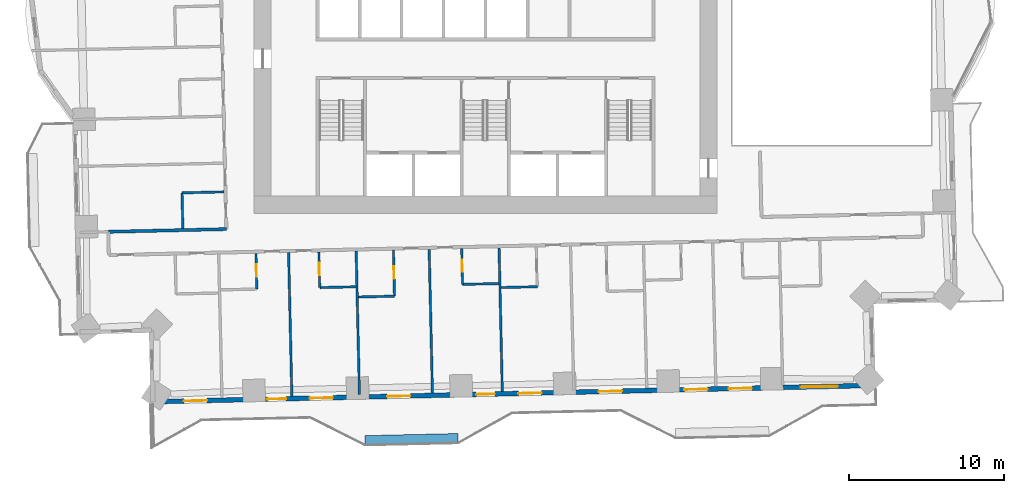
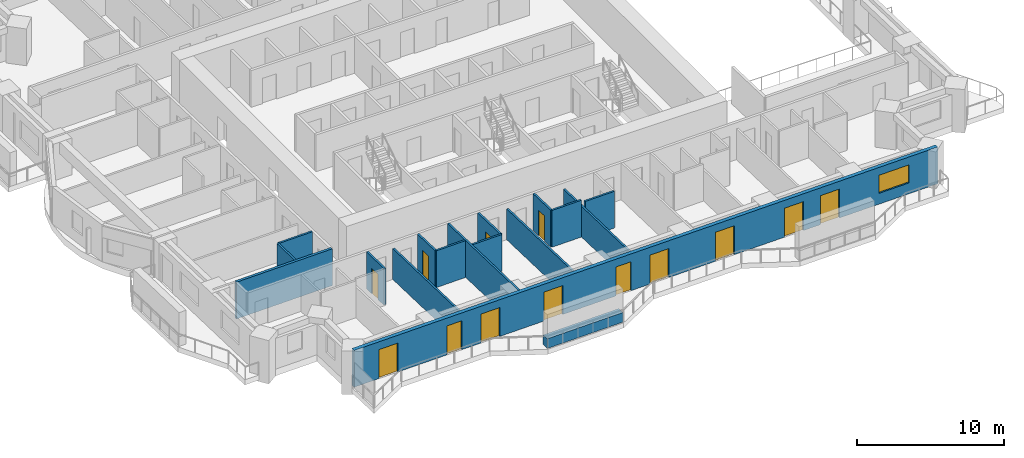
# One storey, part 6 of 17: 17 walls, 13 doors, 1 window, 14 openings.
"""IFC4 building model written with IfcOpenShell, lengths in metres."""

from ifc_helpers import new_model, si_unit, direction, frame, frame_2d, origin, place, context, subcontext, project, spatial, rectangle, extrude, material, layer, layer_set, type_object, element, fill, save


model = new_model("IFC4")

# Units and contexts
model_context = context("Model", 3, precision=1e-05, world=origin(), true_north=direction((0.0, 1.0)))
body_context = subcontext(model_context, "Body", "Model", "MODEL_VIEW")
ifc_project = project(units=[si_unit("LENGTHUNIT", "METRE"), si_unit("AREAUNIT", "SQUARE_METRE"), si_unit("VOLUMEUNIT", "CUBIC_METRE"), si_unit("PLANEANGLEUNIT", "RADIAN"), si_unit("MASSUNIT", "GRAM", prefix="KILO")], contexts=[model_context])

# Site, building, storey
site_placement = place(None, origin())
site = spatial("IfcSite", under=ifc_project, at=site_placement, CompositionType="ELEMENT")
building_placement = place(site_placement, origin())
building = spatial("IfcBuilding", under=site, at=building_placement, Name="Mangrove Gate Tower", CompositionType="ELEMENT")
storey_placement = place(building_placement, frame((0.0, 0.0, 86.5)))
storey = spatial("IfcBuildingStorey", under=building, at=storey_placement, Name="L21", CompositionType="ELEMENT", Elevation=86.5)

# Wall
ifc_material_1 = material(Name="Gypsum board on steel stud, EI 60", Category="steel")
ifc_layer_1 = layer(ifc_material_1, 0.199951171875)
ifc_layer_set_1 = layer_set([ifc_layer_1], Name="Corridor wall EI 60")
wall_type_1 = type_object("IfcWallType", Name="Corridor wall EI 60", PredefinedType="PARTITIONING", material=ifc_layer_set_1)
wall_1_placement = place(storey_placement, frame((-24.282958984375, -13.091064453125, 0.0), z_axis=(0.0, 0.0, 1.0), x_axis=(0.999741006317, 0.022757862116, 0.0)))
element("IfcWall", 1, at=wall_1_placement, inside=storey, type_object=wall_type_1, Name="WALL-L21-034", PredefinedType="PARTITIONING", context=body_context, shape_type="SweptSolid", body=[
    extrude(rectangle(XDim=7.60595703125, YDim=0.199951171875, at=frame_2d((3.802978515625, 0.0))), origin(), (0.0, 0.0, 1.0), 3.050048828125),
])

# Wall, openings, doors, window
ifc_material_2 = material(Name="Limestone", Category="masonry")
ifc_layer_2 = layer(ifc_material_2, 0.0400390625, Name="Limestone cladding")
ifc_material_3 = material(Name="Ventilated air gap")
ifc_layer_3 = layer(ifc_material_3, 0.0400390625, Name="Ventilated cavity")
ifc_material_4 = material(Name="Mineral wool insulation")
ifc_layer_4 = layer(ifc_material_4, 0.06005859375, Name="Insulation")
ifc_material_5 = material(Name="Breather membrane")
ifc_layer_5 = layer(ifc_material_5, 0.001953125, Name="Breather membrane")
ifc_material_6 = material(Name="Concrete C20/25 blockwork", Category="masonry")
ifc_layer_6 = layer(ifc_material_6, 0.14990234375, Name="Blockwork backing wall")
ifc_material_7 = material(Name="Gypsum plaster")
ifc_layer_7 = layer(ifc_material_7, 0.008056640625, Name="Internal plaster")
ifc_layer_set_2 = layer_set([ifc_layer_2, ifc_layer_3, ifc_layer_4, ifc_layer_5, ifc_layer_6, ifc_layer_7], Name="External wall 300 limestone cladding")
wall_type_2 = type_object("IfcWallType", Name="External wall 300 limestone cladding", PredefinedType="SOLIDWALL", material=ifc_layer_set_2)
wall_2_placement = place(storey_placement, frame((-21.408935546875, -24.029052734375, 0.0), z_axis=(0.0, 0.0, 1.0), x_axis=(0.999742634032, 0.022686244721, 0.0)))
wall_2 = element("IfcWall", 2, at=wall_2_placement, inside=storey, type_object=wall_type_2, Name="WALL-L21-S13", PredefinedType="SOLIDWALL", context=body_context, shape_type="SweptSolid", body=[
    extrude(rectangle(XDim=46.371826171875, YDim=0.300048828125, at=frame_2d((23.18603515625, 0.0))), origin(), (0.0, 0.0, 1.0), 3.050048828125),
])
opening_1_placement = place(wall_2_placement, frame((1.985107421875, 0.0, 0.0)))
opening_1 = element("IfcOpeningElement", 3, at=opening_1_placement, cuts=wall_2, Name="Opening BD1", PredefinedType="OPENING", context=body_context, shape_type="SweptSolid", body=[
    extrude(rectangle(XDim=1.5, YDim=2.39990234375, at=frame_2d((0.75, 1.199951171875))), frame((0.0, 0.159912109375, 0.0), z_axis=(0.0, -1.0, 0.0), x_axis=(1.0, 0.0, 0.0)), (0.0, 0.0, 1.0), 0.320068359375),
])
opening_2_placement = place(wall_2_placement, frame((7.37109375, 0.0, 0.0)))
opening_2 = element("IfcOpeningElement", 4, at=opening_2_placement, cuts=wall_2, Name="Opening BD2", PredefinedType="OPENING", context=body_context, shape_type="SweptSolid", body=[
    extrude(rectangle(XDim=1.199951171875, YDim=2.39990234375, at=frame_2d((0.60009765625, 1.199951171875))), frame((0.0, 0.159912109375, 0.0), z_axis=(0.0, -1.0, 0.0), x_axis=(1.0, 0.0, 0.0)), (0.0, 0.0, 1.0), 0.320068359375),
])
opening_3_placement = place(wall_2_placement, frame((10.080078125, 0.0, 0.0)))
opening_3 = element("IfcOpeningElement", 5, at=opening_3_placement, cuts=wall_2, Name="Opening BD1", PredefinedType="OPENING", context=body_context, shape_type="SweptSolid", body=[
    extrude(rectangle(XDim=1.5, YDim=2.39990234375, at=frame_2d((0.75, 1.199951171875))), frame((0.0, 0.159912109375, 0.0), z_axis=(0.0, -1.0, 0.0), x_axis=(1.0, 0.0, 0.0)), (0.0, 0.0, 1.0), 0.320068359375),
])
opening_4_placement = place(wall_2_placement, frame((15.080078125, 0.0, 0.0)))
opening_4 = element("IfcOpeningElement", 6, at=opening_4_placement, cuts=wall_2, Name="Opening BD1", PredefinedType="OPENING", context=body_context, shape_type="SweptSolid", body=[
    extrude(rectangle(XDim=1.5, YDim=2.39990234375, at=frame_2d((0.75, 1.199951171875))), frame((0.0, 0.159912109375, 0.0), z_axis=(0.0, -1.0, 0.0), x_axis=(1.0, 0.0, 0.0)), (0.0, 0.0, 1.0), 0.320068359375),
])
opening_5_placement = place(wall_2_placement, frame((20.81298828125, 0.0, 0.0)))
opening_5 = element("IfcOpeningElement", 7, at=opening_5_placement, cuts=wall_2, Name="Opening BD2", PredefinedType="OPENING", context=body_context, shape_type="SweptSolid", body=[
    extrude(rectangle(XDim=1.199951171875, YDim=2.39990234375, at=frame_2d((0.60009765625, 1.199951171875))), frame((0.0, 0.159912109375, 0.0), z_axis=(0.0, -1.0, 0.0), x_axis=(1.0, 0.0, 0.0)), (0.0, 0.0, 1.0), 0.320068359375),
])
opening_6_placement = place(wall_2_placement, frame((23.52197265625, 0.0, 0.0)))
opening_6 = element("IfcOpeningElement", 8, at=opening_6_placement, cuts=wall_2, Name="Opening BD1", PredefinedType="OPENING", context=body_context, shape_type="SweptSolid", body=[
    extrude(rectangle(XDim=1.5, YDim=2.39990234375, at=frame_2d((0.75, 1.199951171875))), frame((0.0, 0.159912109375, 0.0), z_axis=(0.0, -1.0, 0.0), x_axis=(1.0, 0.0, 0.0)), (0.0, 0.0, 1.0), 0.320068359375),
])
opening_7_placement = place(wall_2_placement, frame((28.699951171875, 0.0, 0.0)))
opening_7 = element("IfcOpeningElement", 9, at=opening_7_placement, cuts=wall_2, Name="Opening BD1", PredefinedType="OPENING", context=body_context, shape_type="SweptSolid", body=[
    extrude(rectangle(XDim=1.5, YDim=2.39990234375, at=frame_2d((0.75, 1.199951171875))), frame((0.0, 0.159912109375, 0.0), z_axis=(0.0, -1.0, 0.0), x_axis=(1.0, 0.0, 0.0)), (0.0, 0.0, 1.0), 0.320068359375),
])
opening_8_placement = place(wall_2_placement, frame((34.2060546875, 0.0, 0.0)))
opening_8 = element("IfcOpeningElement", 10, at=opening_8_placement, cuts=wall_2, Name="Opening BD1", PredefinedType="OPENING", context=body_context, shape_type="SweptSolid", body=[
    extrude(rectangle(XDim=1.5, YDim=2.39990234375, at=frame_2d((0.75, 1.199951171875))), frame((0.0, 0.159912109375, 0.0), z_axis=(0.0, -1.0, 0.0), x_axis=(1.0, 0.0, 0.0)), (0.0, 0.0, 1.0), 0.320068359375),
])
opening_9_placement = place(wall_2_placement, frame((37.06494140625, 0.0, 0.0)))
opening_9 = element("IfcOpeningElement", 11, at=opening_9_placement, cuts=wall_2, Name="Opening BD1", PredefinedType="OPENING", context=body_context, shape_type="SweptSolid", body=[
    extrude(rectangle(XDim=1.5, YDim=2.39990234375, at=frame_2d((0.75, 1.199951171875))), frame((0.0, 0.159912109375, 0.0), z_axis=(0.0, -1.0, 0.0), x_axis=(1.0, 0.0, 0.0)), (0.0, 0.0, 1.0), 0.320068359375),
])
opening_10_placement = place(wall_2_placement, frame((41.697998046875, 0.0, 0.89990234375)))
opening_10 = element("IfcOpeningElement", 12, at=opening_10_placement, cuts=wall_2, Name="Opening W2", PredefinedType="OPENING", context=body_context, shape_type="SweptSolid", body=[
    extrude(rectangle(XDim=2.39990234375, YDim=1.5, at=frame_2d((1.199951171875, 0.75))), frame((0.0, 0.159912109375, 0.0), z_axis=(0.0, -1.0, 0.0), x_axis=(1.0, 0.0, 0.0)), (0.0, 0.0, 1.0), 0.320068359375),
])
ifc_material_8 = material(Name="Aluminium frame with laminated clear glass", Category="aluminium")
door_type_1 = type_object("IfcDoorType", Name="Balcony sliding door 1200x2400", OperationType="SLIDING_TO_LEFT", PredefinedType="DOOR", material=ifc_material_8)
door_1_placement = place(opening_2_placement, origin())
door_1 = element("IfcDoor", 13, at=door_1_placement, inside=storey, type_object=door_type_1, Name="DOOR-L21-S13-2", OperationType="SLIDING_TO_LEFT", OverallHeight=2.39990234375, OverallWidth=1.199951171875, PredefinedType="DOOR", context=body_context, shape_type="SweptSolid", body=[
    extrude(rectangle(XDim=1.199951171875, YDim=2.39990234375, at=frame_2d((0.60009765625, 1.199951171875))), frame((0.0, 0.02490234375, 0.0), z_axis=(0.0, -1.0, 0.0), x_axis=(1.0, 0.0, 0.0)), (0.0, 0.0, 1.0), 0.050048828125),
])
fill(opening_2, door_1)
door_2_placement = place(opening_5_placement, origin())
door_2 = element("IfcDoor", 14, at=door_2_placement, inside=storey, type_object=door_type_1, Name="DOOR-L21-S13-5", OperationType="SLIDING_TO_LEFT", OverallHeight=2.39990234375, OverallWidth=1.199951171875, PredefinedType="DOOR", context=body_context, shape_type="SweptSolid", body=[
    extrude(rectangle(XDim=1.199951171875, YDim=2.39990234375, at=frame_2d((0.60009765625, 1.199951171875))), frame((0.0, 0.02490234375, 0.0), z_axis=(0.0, -1.0, 0.0), x_axis=(1.0, 0.0, 0.0)), (0.0, 0.0, 1.0), 0.050048828125),
])
fill(opening_5, door_2)
ifc_material_9 = material(Name="Aluminium frame with laminated clear glass", Category="aluminium")
door_type_2 = type_object("IfcDoorType", Name="Balcony sliding door 1500x2400", OperationType="SLIDING_TO_LEFT", PredefinedType="DOOR", material=ifc_material_9)
door_3_placement = place(opening_1_placement, origin())
door_3 = element("IfcDoor", 15, at=door_3_placement, inside=storey, type_object=door_type_2, Name="DOOR-L21-S13-1", OperationType="SLIDING_TO_LEFT", OverallHeight=2.39990234375, OverallWidth=1.5, PredefinedType="DOOR", context=body_context, shape_type="SweptSolid", body=[
    extrude(rectangle(XDim=1.5, YDim=2.39990234375, at=frame_2d((0.75, 1.199951171875))), frame((0.0, 0.02490234375, 0.0), z_axis=(0.0, -1.0, 0.0), x_axis=(1.0, 0.0, 0.0)), (0.0, 0.0, 1.0), 0.050048828125),
])
fill(opening_1, door_3)
door_4_placement = place(opening_3_placement, origin())
door_4 = element("IfcDoor", 16, at=door_4_placement, inside=storey, type_object=door_type_2, Name="DOOR-L21-S13-3", OperationType="SLIDING_TO_LEFT", OverallHeight=2.39990234375, OverallWidth=1.5, PredefinedType="DOOR", context=body_context, shape_type="SweptSolid", body=[
    extrude(rectangle(XDim=1.5, YDim=2.39990234375, at=frame_2d((0.75, 1.199951171875))), frame((0.0, 0.02490234375, 0.0), z_axis=(0.0, -1.0, 0.0), x_axis=(1.0, 0.0, 0.0)), (0.0, 0.0, 1.0), 0.050048828125),
])
fill(opening_3, door_4)
door_5_placement = place(opening_4_placement, origin())
door_5 = element("IfcDoor", 17, at=door_5_placement, inside=storey, type_object=door_type_2, Name="DOOR-L21-S13-4", OperationType="SLIDING_TO_LEFT", OverallHeight=2.39990234375, OverallWidth=1.5, PredefinedType="DOOR", context=body_context, shape_type="SweptSolid", body=[
    extrude(rectangle(XDim=1.5, YDim=2.39990234375, at=frame_2d((0.75, 1.199951171875))), frame((0.0, 0.02490234375, 0.0), z_axis=(0.0, -1.0, 0.0), x_axis=(1.0, 0.0, 0.0)), (0.0, 0.0, 1.0), 0.050048828125),
])
fill(opening_4, door_5)
door_6_placement = place(opening_6_placement, origin())
door_6 = element("IfcDoor", 18, at=door_6_placement, inside=storey, type_object=door_type_2, Name="DOOR-L21-S13-6", OperationType="SLIDING_TO_LEFT", OverallHeight=2.39990234375, OverallWidth=1.5, PredefinedType="DOOR", context=body_context, shape_type="SweptSolid", body=[
    extrude(rectangle(XDim=1.5, YDim=2.39990234375, at=frame_2d((0.75, 1.199951171875))), frame((0.0, 0.02490234375, 0.0), z_axis=(0.0, -1.0, 0.0), x_axis=(1.0, 0.0, 0.0)), (0.0, 0.0, 1.0), 0.050048828125),
])
fill(opening_6, door_6)
door_7_placement = place(opening_7_placement, origin())
door_7 = element("IfcDoor", 19, at=door_7_placement, inside=storey, type_object=door_type_2, Name="DOOR-L21-S13-7", OperationType="SLIDING_TO_LEFT", OverallHeight=2.39990234375, OverallWidth=1.5, PredefinedType="DOOR", context=body_context, shape_type="SweptSolid", body=[
    extrude(rectangle(XDim=1.5, YDim=2.39990234375, at=frame_2d((0.75, 1.199951171875))), frame((0.0, 0.02490234375, 0.0), z_axis=(0.0, -1.0, 0.0), x_axis=(1.0, 0.0, 0.0)), (0.0, 0.0, 1.0), 0.050048828125),
])
fill(opening_7, door_7)
door_8_placement = place(opening_8_placement, origin())
door_8 = element("IfcDoor", 20, at=door_8_placement, inside=storey, type_object=door_type_2, Name="DOOR-L21-S13-8", OperationType="SLIDING_TO_LEFT", OverallHeight=2.39990234375, OverallWidth=1.5, PredefinedType="DOOR", context=body_context, shape_type="SweptSolid", body=[
    extrude(rectangle(XDim=1.5, YDim=2.39990234375, at=frame_2d((0.75, 1.199951171875))), frame((0.0, 0.02490234375, 0.0), z_axis=(0.0, -1.0, 0.0), x_axis=(1.0, 0.0, 0.0)), (0.0, 0.0, 1.0), 0.050048828125),
])
fill(opening_8, door_8)
door_9_placement = place(opening_9_placement, origin())
door_9 = element("IfcDoor", 21, at=door_9_placement, inside=storey, type_object=door_type_2, Name="DOOR-L21-S13-9", OperationType="SLIDING_TO_LEFT", OverallHeight=2.39990234375, OverallWidth=1.5, PredefinedType="DOOR", context=body_context, shape_type="SweptSolid", body=[
    extrude(rectangle(XDim=1.5, YDim=2.39990234375, at=frame_2d((0.75, 1.199951171875))), frame((0.0, 0.02490234375, 0.0), z_axis=(0.0, -1.0, 0.0), x_axis=(1.0, 0.0, 0.0)), (0.0, 0.0, 1.0), 0.050048828125),
])
fill(opening_9, door_9)
ifc_material_10 = material(Name="Aluminium frame with double-glazed low-e glass", Category="aluminium")
window_type = type_object("IfcWindowType", Name="Corner room window 2400x1500", PartitioningType="DOUBLE_PANEL_VERTICAL", PredefinedType="WINDOW", material=ifc_material_10)
window_placement = place(opening_10_placement, origin())
window = element("IfcWindow", 22, at=window_placement, inside=storey, type_object=window_type, Name="WIN-L21-S13-10", OverallHeight=1.5, OverallWidth=2.39990234375, PartitioningType="DOUBLE_PANEL_VERTICAL", PredefinedType="WINDOW", context=body_context, shape_type="SweptSolid", body=[
    extrude(rectangle(XDim=2.39990234375, YDim=1.5, at=frame_2d((1.199951171875, 0.75))), frame((0.0, 0.030029296875, 0.0), z_axis=(0.0, -1.0, 0.0), x_axis=(1.0, 0.0, 0.0)), (0.0, 0.0, 1.0), 0.06005859375),
])
fill(opening_10, window)

# Walls
ifc_material_11 = material(Name="Gypsum board on steel stud, EI 60", Category="steel")
ifc_layer_8 = layer(ifc_material_11, 0.14990234375)
ifc_layer_set_3 = layer_set([ifc_layer_8], Name="Party wall 150 EI 60")
wall_type_3 = type_object("IfcWallType", Name="Party wall 150 EI 60", PredefinedType="PARTITIONING", material=ifc_layer_set_3)
wall_3_placement = place(storey_placement, frame((-12.468994140625, -23.676025390625, 0.0), z_axis=(0.0, 0.0, 1.0), x_axis=(-0.022697424684, 0.999742380272, 0.0)))
element("IfcWall", 23, at=wall_3_placement, inside=storey, type_object=wall_type_3, Name="WALL-L21-002", PredefinedType="PARTITIONING", context=body_context, shape_type="SweptSolid", body=[
    extrude(rectangle(XDim=9.25048828125, YDim=0.14990234375, at=frame_2d((4.625244140625, 0.0))), origin(), (0.0, 0.0, 1.0), 2.550048828125),
])
wall_4_placement = place(storey_placement, frame((-8.1201171875, -23.576904296875, 0.0), z_axis=(0.0, 0.0, 1.0), x_axis=(-0.022698023584, 0.999742366675, 0.0)))
element("IfcWall", 24, at=wall_4_placement, inside=storey, type_object=wall_type_3, Name="WALL-L21-003", PredefinedType="PARTITIONING", context=body_context, shape_type="SweptSolid", body=[
    extrude(rectangle(XDim=9.250244140625, YDim=0.14990234375, at=frame_2d((4.625, 0.0))), origin(), (0.0, 0.0, 1.0), 3.050048828125),
])
wall_5_placement = place(storey_placement, frame((-3.4208984375, -23.470947265625, 0.0), z_axis=(0.0, 0.0, 1.0), x_axis=(-0.022723803418, 0.999741781041, 0.0)))
element("IfcWall", 25, at=wall_5_placement, inside=storey, type_object=wall_type_3, Name="WALL-L21-004", PredefinedType="PARTITIONING", context=body_context, shape_type="SweptSolid", body=[
    extrude(rectangle(XDim=9.25048828125, YDim=0.14990234375, at=frame_2d((4.625244140625, 0.0))), origin(), (0.0, 0.0, 1.0), 2.550048828125),
])
wall_6_placement = place(storey_placement, frame((1.076904296875, -23.368896484375, 0.0), z_axis=(0.0, 0.0, 1.0), x_axis=(-0.022592505393, 0.999744756775, 0.0)))
element("IfcWall", 26, at=wall_6_placement, inside=storey, type_object=wall_type_3, Name="WALL-L21-005", PredefinedType="PARTITIONING", context=body_context, shape_type="SweptSolid", body=[
    extrude(rectangle(XDim=9.250244140625, YDim=0.14990234375, at=frame_2d((4.625, 0.0))), origin(), (0.0, 0.0, 1.0), 2.550048828125),
])
wall_7_placement = place(storey_placement, frame((-8.18408203125, -17.287109375, 0.0), z_axis=(0.0, 0.0, 1.0), x_axis=(0.999738137323, 0.022883548292, 0.0)))
element("IfcWall", 27, at=wall_7_placement, inside=storey, type_object=wall_type_3, Name="WALL-L21-010", PredefinedType="PARTITIONING", context=body_context, shape_type="SweptSolid", body=[
    extrude(rectangle(XDim=2.32568359375, YDim=0.14990234375, at=frame_2d((1.162841796875, 0.0))), origin(), (0.0, 0.0, 1.0), 3.050048828125),
])

# Wall, opening, door
wall_8_placement = place(storey_placement, frame((-5.863037109375, -17.23388671875, 0.0), z_axis=(0.0, 0.0, 1.0), x_axis=(-0.022931262231, 0.999737044033, 0.0)))
wall_8 = element("IfcWall", 28, at=wall_8_placement, inside=storey, type_object=wall_type_3, Name="WALL-L21-011", PredefinedType="PARTITIONING", context=body_context, shape_type="SweptSolid", body=[
    extrude(rectangle(XDim=2.959716796875, YDim=0.14990234375, at=frame_2d((1.47998046875, 0.0))), origin(), (0.0, 0.0, 1.0), 3.050048828125),
])
opening_11_placement = place(wall_8_placement, frame((1.1298828125, 0.0, 0.0)))
opening_11 = element("IfcOpeningElement", 29, at=opening_11_placement, cuts=wall_8, Name="Opening ED", PredefinedType="OPENING", context=body_context, shape_type="SweptSolid", body=[
    extrude(rectangle(XDim=0.800048828125, YDim=2.10009765625, at=frame_2d((0.39990234375, 1.050048828125))), frame((0.0, 0.0849609375, 0.0), z_axis=(0.0, -1.0, 0.0), x_axis=(1.0, 0.0, 0.0)), (0.0, 0.0, 1.0), 0.169921875),
])
ifc_material_12 = material(Name="Timber door leaf", Category="wood")
door_type_3 = type_object("IfcDoorType", Name="En-suite door 800", OperationType="SINGLE_SWING_LEFT", PredefinedType="DOOR", material=ifc_material_12)
door_10_placement = place(opening_11_placement, origin())
door_10 = element("IfcDoor", 30, at=door_10_placement, inside=storey, type_object=door_type_3, Name="DOOR-L21-ENS-c103", OperationType="SINGLE_SWING_LEFT", OverallHeight=2.10009765625, OverallWidth=0.800048828125, PredefinedType="DOOR", context=body_context, shape_type="SweptSolid", body=[
    extrude(rectangle(XDim=0.800048828125, YDim=2.10009765625, at=frame_2d((0.39990234375, 1.050048828125))), frame((0.0, 0.02490234375, 0.0), z_axis=(0.0, -1.0, 0.0), x_axis=(1.0, 0.0, 0.0)), (0.0, 0.0, 1.0), 0.050048828125),
])
fill(opening_11, door_10)

# Wall
wall_9_placement = place(storey_placement, frame((1.0048828125, -16.677978515625, 0.0), z_axis=(0.0, 0.0, 1.0), x_axis=(0.99974031529, 0.022788198363, 0.0)))
element("IfcWall", 31, at=wall_9_placement, inside=storey, type_object=wall_type_3, Name="WALL-L21-016", PredefinedType="PARTITIONING", context=body_context, shape_type="SweptSolid", body=[
    extrude(rectangle(XDim=2.32470703125, YDim=0.14990234375, at=frame_2d((1.162353515625, 0.0))), origin(), (0.0, 0.0, 1.0), 3.050048828125),
])

# Wall, opening, door
wall_10_placement = place(storey_placement, frame((-14.72607421875, -16.77490234375, 0.0), z_axis=(0.0, 0.0, 1.0), x_axis=(-0.022615284993, 0.999744241736, 0.0)))
wall_10 = element("IfcWall", 32, at=wall_10_placement, inside=storey, type_object=wall_type_3, Name="WALL-L21-021", PredefinedType="PARTITIONING", context=body_context, shape_type="SweptSolid", body=[
    extrude(rectangle(XDim=2.29931640625, YDim=0.14990234375, at=frame_2d((1.149658203125, 0.0))), origin(), (0.0, 0.0, 1.0), 3.050048828125),
])
opening_12_placement = place(wall_10_placement, frame((0.800048828125, 0.0, 0.0)))
opening_12 = element("IfcOpeningElement", 33, at=opening_12_placement, cuts=wall_10, Name="Opening ED", PredefinedType="OPENING", context=body_context, shape_type="SweptSolid", body=[
    extrude(rectangle(XDim=0.800048828125, YDim=2.10009765625, at=frame_2d((0.39990234375, 1.050048828125))), frame((0.0, 0.0849609375, 0.0), z_axis=(0.0, -1.0, 0.0), x_axis=(1.0, 0.0, 0.0)), (0.0, 0.0, 1.0), 0.169921875),
])
door_11_placement = place(opening_12_placement, origin())
door_11 = element("IfcDoor", 34, at=door_11_placement, inside=storey, type_object=door_type_3, Name="DOOR-L21-ENS-c101", OperationType="SINGLE_SWING_LEFT", OverallHeight=2.10009765625, OverallWidth=0.800048828125, PredefinedType="DOOR", context=body_context, shape_type="SweptSolid", body=[
    extrude(rectangle(XDim=0.800048828125, YDim=2.10009765625, at=frame_2d((0.39990234375, 1.050048828125))), frame((0.0, 0.02490234375, 0.0), z_axis=(0.0, -1.0, 0.0), x_axis=(1.0, 0.0, 0.0)), (0.0, 0.0, 1.0), 0.050048828125),
])
fill(opening_12, door_11)

wall_11_placement = place(storey_placement, frame((-10.677001953125, -16.68310546875, 0.0), z_axis=(0.0, 0.0, 1.0), x_axis=(-0.022612884682, 0.999744296031, 0.0)))
wall_11 = element("IfcWall", 35, at=wall_11_placement, inside=storey, type_object=wall_type_3, Name="WALL-L21-022", PredefinedType="PARTITIONING", context=body_context, shape_type="SweptSolid", body=[
    extrude(rectangle(XDim=2.299560546875, YDim=0.14990234375, at=frame_2d((1.14990234375, 0.0))), origin(), (0.0, 0.0, 1.0), 3.050048828125),
])
opening_13_placement = place(wall_11_placement, frame((0.800048828125, 0.0, 0.0)))
opening_13 = element("IfcOpeningElement", 36, at=opening_13_placement, cuts=wall_11, Name="Opening ED", PredefinedType="OPENING", context=body_context, shape_type="SweptSolid", body=[
    extrude(rectangle(XDim=0.800048828125, YDim=2.10009765625, at=frame_2d((0.39990234375, 1.050048828125))), frame((0.0, 0.0849609375, 0.0), z_axis=(0.0, -1.0, 0.0), x_axis=(1.0, 0.0, 0.0)), (0.0, 0.0, 1.0), 0.169921875),
])
door_12_placement = place(opening_13_placement, origin())
door_12 = element("IfcDoor", 37, at=door_12_placement, inside=storey, type_object=door_type_3, Name="DOOR-L21-ENS-c102", OperationType="SINGLE_SWING_RIGHT", OverallHeight=2.10009765625, OverallWidth=0.800048828125, PredefinedType="DOOR", context=body_context, shape_type="SweptSolid", body=[
    extrude(rectangle(XDim=0.800048828125, YDim=2.10009765625, at=frame_2d((0.39990234375, 1.050048828125))), frame((0.0, 0.02490234375, 0.0), z_axis=(0.0, -1.0, 0.0), x_axis=(1.0, 0.0, 0.0)), (0.0, 0.0, 1.0), 0.050048828125),
])
fill(opening_13, door_12)

# Wall
wall_12_placement = place(storey_placement, frame((-10.673095703125, -16.68310546875, 0.0), z_axis=(0.0, 0.0, 1.0), x_axis=(0.999737862264, 0.022895561926, 0.0)))
element("IfcWall", 38, at=wall_12_placement, inside=storey, type_object=wall_type_3, Name="WALL-L21-023", PredefinedType="PARTITIONING", context=body_context, shape_type="SweptSolid", body=[
    extrude(rectangle(XDim=2.324462890625, YDim=0.14990234375, at=frame_2d((1.162109375, 0.0))), origin(), (0.0, 0.0, 1.0), 3.050048828125),
])

# Wall, opening, door
wall_13_placement = place(storey_placement, frame((-1.47998046875, -16.47509765625, 0.0), z_axis=(0.0, 0.0, 1.0), x_axis=(-0.022603288534, 0.999744513037, 0.0)))
wall_13 = element("IfcWall", 39, at=wall_13_placement, inside=storey, type_object=wall_type_3, Name="WALL-L21-024", PredefinedType="PARTITIONING", context=body_context, shape_type="SweptSolid", body=[
    extrude(rectangle(XDim=2.300537109375, YDim=0.14990234375, at=frame_2d((1.150390625, 0.0))), origin(), (0.0, 0.0, 1.0), 3.050048828125),
])
opening_14_placement = place(wall_13_placement, frame((0.800048828125, 0.0, 0.0)))
opening_14 = element("IfcOpeningElement", 40, at=opening_14_placement, cuts=wall_13, Name="Opening ED", PredefinedType="OPENING", context=body_context, shape_type="SweptSolid", body=[
    extrude(rectangle(XDim=0.800048828125, YDim=2.10009765625, at=frame_2d((0.39990234375, 1.050048828125))), frame((0.0, 0.0849609375, 0.0), z_axis=(0.0, -1.0, 0.0), x_axis=(1.0, 0.0, 0.0)), (0.0, 0.0, 1.0), 0.169921875),
])
door_13_placement = place(opening_14_placement, origin())
door_13 = element("IfcDoor", 41, at=door_13_placement, inside=storey, type_object=door_type_3, Name="DOOR-L21-ENS-c104", OperationType="SINGLE_SWING_RIGHT", OverallHeight=2.10009765625, OverallWidth=0.800048828125, PredefinedType="DOOR", context=body_context, shape_type="SweptSolid", body=[
    extrude(rectangle(XDim=0.800048828125, YDim=2.10009765625, at=frame_2d((0.39990234375, 1.050048828125))), frame((0.0, 0.02490234375, 0.0), z_axis=(0.0, -1.0, 0.0), x_axis=(1.0, 0.0, 0.0)), (0.0, 0.0, 1.0), 0.050048828125),
])
fill(opening_14, door_13)

# Walls
wall_14_placement = place(storey_placement, frame((-1.47607421875, -16.47412109375, 0.0), z_axis=(0.0, 0.0, 1.0), x_axis=(0.999750007167, 0.022358961731, 0.0)))
element("IfcWall", 42, at=wall_14_placement, inside=storey, type_object=wall_type_3, Name="WALL-L21-025", PredefinedType="PARTITIONING", context=body_context, shape_type="SweptSolid", body=[
    extrude(rectangle(XDim=2.32568359375, YDim=0.14990234375, at=frame_2d((1.162841796875, 0.0))), origin(), (0.0, 0.0, 1.0), 3.050048828125),
])
wall_15_placement = place(storey_placement, frame((-19.486083984375, -12.882080078125, 0.0), z_axis=(0.0, 0.0, 1.0), x_axis=(-0.022612884682, 0.999744296031, 0.0)))
element("IfcWall", 43, at=wall_15_placement, inside=storey, type_object=wall_type_3, Name="WALL-L21-035", PredefinedType="PARTITIONING", context=body_context, shape_type="SweptSolid", body=[
    extrude(rectangle(XDim=2.299560546875, YDim=0.14990234375, at=frame_2d((1.14990234375, 0.0))), origin(), (0.0, 0.0, 1.0), 3.050048828125),
])
wall_16_placement = place(storey_placement, frame((-19.532958984375, -10.5830078125, 0.0), z_axis=(0.0, 0.0, 1.0), x_axis=(0.999736155505, 0.022969966847, 0.0)))
element("IfcWall", 44, at=wall_16_placement, inside=storey, type_object=wall_type_3, Name="WALL-L21-040", PredefinedType="PARTITIONING", context=body_context, shape_type="SweptSolid", body=[
    extrude(rectangle(XDim=2.69970703125, YDim=0.14990234375, at=frame_2d((1.349853515625, 0.0))), origin(), (0.0, 0.0, 1.0), 3.050048828125),
])
ifc_material_13 = material(Name="Concrete C32/40", Category="concrete")
ifc_layer_9 = layer(ifc_material_13, 0.199951171875, Name="Planter trough wall")
ifc_material_14 = material(Name="Bituminous waterproofing membrane")
ifc_layer_10 = layer(ifc_material_14, 0.0048828125, Name="Waterproofing")
ifc_material_15 = material(Name="Drainage board and gravel")
ifc_layer_11 = layer(ifc_material_15, 0.044921875, Name="Drainage layer")
ifc_material_16 = material(Name="Planting soil")
ifc_layer_12 = layer(ifc_material_16, 0.300048828125, Name="Growing medium")
ifc_layer_set_4 = layer_set([ifc_layer_9, ifc_layer_10, ifc_layer_11, ifc_layer_12], Name="Planter wall 550 C32/40")
wall_type_4 = type_object("IfcWallType", Name="Planter wall 550 C32/40", PredefinedType="USERDEFINED", material=ifc_layer_set_4)
wall_17_placement = place(storey_placement, frame((-7.763916015625, -26.485107421875, 0.0), z_axis=(0.0, 0.0, 1.0), x_axis=(0.999743178102, 0.022662255828, 0.0)))
element("IfcWall", 45, at=wall_17_placement, inside=storey, type_object=wall_type_4, Name="PLANTER L21 S0.1", ObjectType="PLANTER", PredefinedType="USERDEFINED", context=body_context, shape_type="SweptSolid", body=[
    extrude(rectangle(XDim=6.00048828125, YDim=0.550048828125, at=frame_2d((3.000244140625, 0.0))), origin(), (0.0, 0.0, 1.0), 0.800048828125),
])

save(model, "model.ifc")
